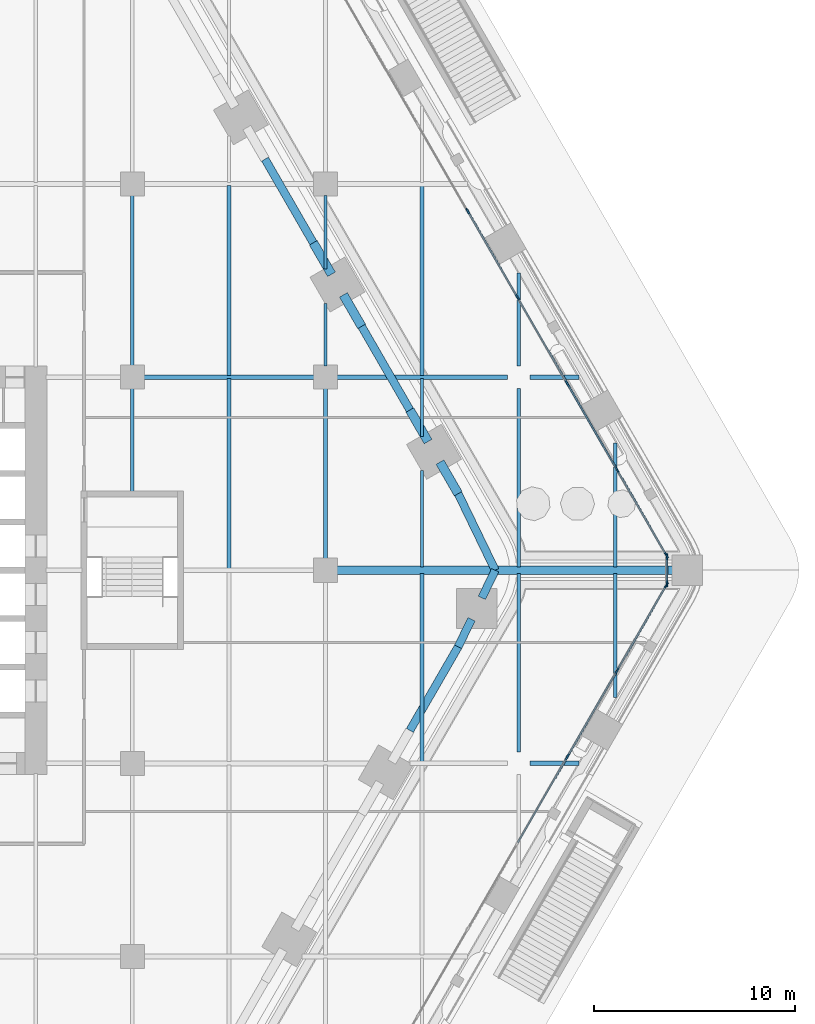
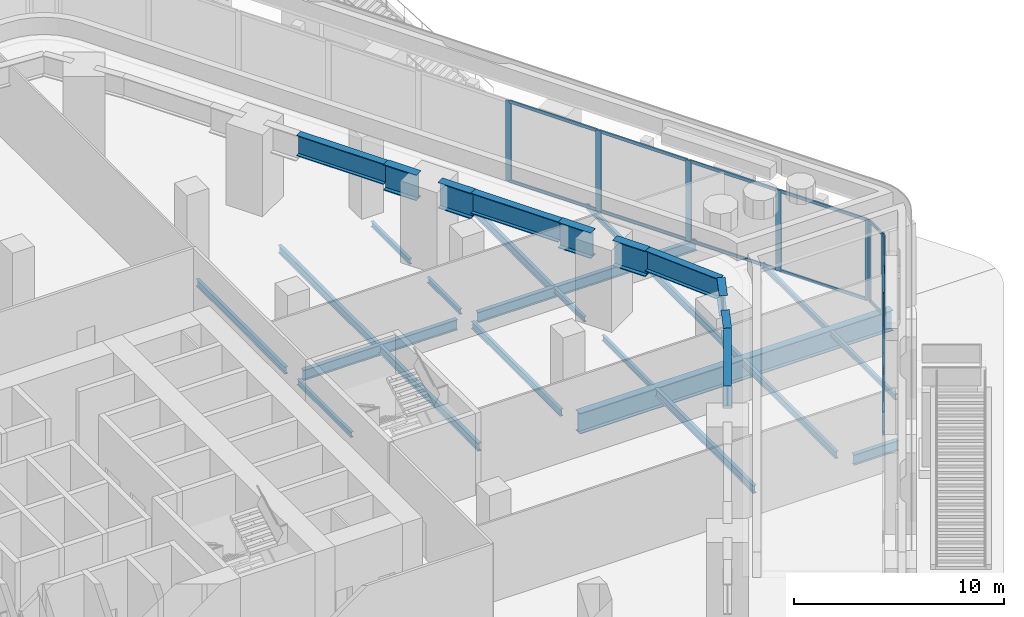
# One storey, part 7 of 34: 31 beams, 25 members, 3 elements without a shape of their own.
"""IFC4 building model written with IfcOpenShell, lengths in metres."""

from ifc_helpers import new_model, si_unit, direction, frame, origin, origin_2d, place, context, subcontext, project, spatial, rectangle, i_section, extrude, material, material_profile, profile_set, type_object, element, aggregate, save


model = new_model("IFC4")

# Units and contexts
model_context = context("Model", 3, precision=1e-05, world=origin(), true_north=direction((0.0, 1.0)))
body_context = subcontext(model_context, "Body", "Model", "MODEL_VIEW")
ifc_project = project(units=[si_unit("LENGTHUNIT", "METRE"), si_unit("AREAUNIT", "SQUARE_METRE"), si_unit("VOLUMEUNIT", "CUBIC_METRE"), si_unit("PLANEANGLEUNIT", "RADIAN"), si_unit("MASSUNIT", "GRAM", prefix="KILO")], contexts=[model_context])

# Site, building, storey
site_placement = place(None, origin())
site = spatial("IfcSite", under=ifc_project, at=site_placement, CompositionType="ELEMENT")
building_placement = place(site_placement, origin())
building = spatial("IfcBuilding", under=site, at=building_placement, Name="Kolab Exchange Tower", CompositionType="ELEMENT")
storey_placement = place(building_placement, frame((0.0, 0.0, 12.39990234375)))
storey = spatial("IfcBuildingStorey", under=building, at=storey_placement, Name="L02", CompositionType="ELEMENT", Elevation=12.39990234375)

# Beams
ifc_material_1 = material(Name="Steel S355", Category="steel")
ifc_material_profile_1 = material_profile(ifc_material_1, i_section(OverallWidth=0.1650390625, OverallDepth=0.31005859375, WebThickness=0.005859375, FlangeThickness=0.009765625, at=origin_2d()), Name="W310X39")
ifc_profile_set_1 = profile_set([ifc_material_profile_1], Name="Steel S355")
beam_type_1 = type_object("IfcBeamType", Name="FLOOR BEAM W310X39", PredefinedType="BEAM", material=ifc_profile_set_1)
beam_1_placement = place(storey_placement, frame((19.199951171875, 3.909912109375, -0.454833984375), z_axis=(0.0, 1.0, 0.0), x_axis=(-1.0, 0.0, 0.0)))
element("IfcBeam", 1, at=beam_1_placement, inside=storey, type_object=beam_type_1, Name="beam/L02/fr/091", PredefinedType="BEAM", context=body_context, shape_type="SweptSolid", body=[
    extrude(i_section(OverallWidth=0.1650390625, OverallDepth=0.31005859375, WebThickness=0.005859375, FlangeThickness=0.009765625, at=origin_2d()), origin(), (0.0, 0.0, 1.0), 5.130126953125),
])
beam_2_placement = place(storey_placement, frame((28.800048828125, 10.159912109375, -0.454833984375), z_axis=(0.0, 1.0, 0.0), x_axis=(-1.0, 0.0, 0.0)))
element("IfcBeam", 2, at=beam_2_placement, inside=storey, type_object=beam_type_1, Name="beam/L02/fr/109", PredefinedType="BEAM", context=body_context, shape_type="SweptSolid", body=[
    extrude(i_section(OverallWidth=0.1650390625, OverallDepth=0.31005859375, WebThickness=0.005859375, FlangeThickness=0.009765625, at=origin_2d()), origin(), (0.0, 0.0, 1.0), 3.107666015625),
])
beam_3_placement = place(storey_placement, frame((28.800048828125, 14.97119140625, -0.454833984375), z_axis=(0.0, 1.0, 0.0), x_axis=(-1.0, 0.0, 0.0)))
element("IfcBeam", 3, at=beam_3_placement, inside=storey, type_object=beam_type_1, Name="beam/L02/fr/110", PredefinedType="BEAM", context=body_context, shape_type="SweptSolid", body=[
    extrude(i_section(OverallWidth=0.1650390625, OverallDepth=0.31005859375, WebThickness=0.005859375, FlangeThickness=0.009765625, at=origin_2d()), origin(), (0.0, 0.0, 1.0), 3.668701171875),
])
beam_4_placement = place(storey_placement, frame((33.60009765625, 0.159912109375, -0.454833984375), z_axis=(0.0, 1.0, 0.0), x_axis=(-1.0, 0.0, 0.0)))
element("IfcBeam", 4, at=beam_4_placement, inside=storey, type_object=beam_type_1, Name="beam/L02/fr/116", PredefinedType="BEAM", context=body_context, shape_type="SweptSolid", body=[
    extrude(i_section(OverallWidth=0.1650390625, OverallDepth=0.31005859375, WebThickness=0.005859375, FlangeThickness=0.009765625, at=origin_2d()), origin(), (0.0, 0.0, 1.0), 4.7939453125),
])
beam_5_placement = place(storey_placement, frame((33.60009765625, 6.6572265625, -0.454833984375), z_axis=(0.0, 1.0, 0.0), x_axis=(-1.0, 0.0, 0.0)))
element("IfcBeam", 5, at=beam_5_placement, inside=storey, type_object=beam_type_1, Name="beam/L02/fr/117", PredefinedType="BEAM", context=body_context, shape_type="SweptSolid", body=[
    extrude(i_section(OverallWidth=0.1650390625, OverallDepth=0.31005859375, WebThickness=0.005859375, FlangeThickness=0.009765625, at=origin_2d()), origin(), (0.0, 0.0, 1.0), 2.86865234375),
])
beam_6_placement = place(storey_placement, frame((38.39990234375, 10.159912109375, -0.454833984375), z_axis=(0.0, 1.0, 0.0), x_axis=(-1.0, 0.0, 0.0)))
element("IfcBeam", 6, at=beam_6_placement, inside=storey, type_object=beam_type_1, Name="beam/L02/fr/123", PredefinedType="BEAM", context=body_context, shape_type="SweptSolid", body=[
    extrude(i_section(OverallWidth=0.1650390625, OverallDepth=0.31005859375, WebThickness=0.005859375, FlangeThickness=0.009765625, at=origin_2d()), origin(), (0.0, 0.0, 1.0), 4.607666015625),
])
for number, where, z_axis, x_axis, name in (
    (7, (43.199951171875, -6.33642578125, -0.454833984375), (0.0, 1.0, 0.0), (-1.0, 0.0, 0.0), "beam/L02/fr/124"),
    (8, (43.199951171875, 0.159912109375, -0.454833984375), (0.0, 1.0, 0.0), (-1.0, 0.0, 0.0), "beam/L02/fr/125"),
):
    element("IfcBeam", number, at=place(storey_placement, frame(where, z_axis=z_axis, x_axis=x_axis)), inside=storey, type_object=beam_type_1, Name=name, PredefinedType="BEAM", context=body_context, shape_type="SweptSolid", body=[
        extrude(i_section(OverallWidth=0.1650390625, OverallDepth=0.31005859375, WebThickness=0.005859375, FlangeThickness=0.009765625, at=origin_2d()), origin(), (0.0, 0.0, 1.0), 6.176513671875),
    ])
ifc_material_profile_2 = material_profile(ifc_material_1, i_section(OverallWidth=0.177978515625, OverallDepth=0.406982421875, WebThickness=0.0078125, FlangeThickness=0.0126953125, at=origin_2d()), Name="W410X60")
ifc_profile_set_2 = profile_set([ifc_material_profile_2], Name="Steel S355")
beam_type_2 = type_object("IfcBeamType", Name="FLOOR BEAM W410X60", PredefinedType="BEAM", material=ifc_profile_set_2)
for number, where, z_axis, x_axis, name in (
    (9, (19.199951171875, 10.159912109375, -0.50341796875), (0.0, 1.0, 0.0), (-1.0, 0.0, 0.0), "beam/L02/fr/092"),
    (10, (28.800048828125, 0.56005859375, -0.50341796875), (0.0, 1.0, 0.0), (-1.0, 0.0, 0.0), "beam/L02/fr/108"),
):
    element("IfcBeam", number, at=place(storey_placement, frame(where, z_axis=z_axis, x_axis=x_axis)), inside=storey, type_object=beam_type_2, Name=name, PredefinedType="BEAM", context=body_context, shape_type="SweptSolid", body=[
        extrude(i_section(OverallWidth=0.177978515625, OverallDepth=0.406982421875, WebThickness=0.0078125, FlangeThickness=0.0126953125, at=origin_2d()), origin(), (0.0, 0.0, 1.0), 8.47998046875),
    ])
for number, where, z_axis, x_axis, name in (
    (11, (38.39990234375, -9.0400390625, -0.50341796875), (0.0, 1.0, 0.0), (-1.0, 0.0, 0.0), "beam/L02/fr/121"),
    (12, (38.39990234375, 0.159912109375, -0.50341796875), (0.0, 1.0, 0.0), (-1.0, 0.0, 0.0), "beam/L02/fr/122"),
):
    element("IfcBeam", number, at=place(storey_placement, frame(where, z_axis=z_axis, x_axis=x_axis)), inside=storey, type_object=beam_type_2, Name=name, PredefinedType="BEAM", context=body_context, shape_type="SweptSolid", body=[
        extrude(i_section(OverallWidth=0.177978515625, OverallDepth=0.406982421875, WebThickness=0.0078125, FlangeThickness=0.0126953125, at=origin_2d()), origin(), (0.0, 0.0, 1.0), 8.880126953125),
    ])
ifc_material_profile_3 = material_profile(ifc_material_1, i_section(OverallWidth=0.18994140625, OverallDepth=0.45703125, WebThickness=0.009033203125, FlangeThickness=0.014404296875, at=origin_2d()), Name="W460X74")
ifc_profile_set_3 = profile_set([ifc_material_profile_3], Name="Steel S355")
beam_type_3 = type_object("IfcBeamType", Name="FLOOR BEAM W460X74", PredefinedType="BEAM", material=ifc_profile_set_3)
for number, where, z_axis, x_axis, name in (
    (13, (24.0, 0.073974609375, -0.5283203125), (0.0, 1.0, 0.0), (-1.0, 0.0, 0.0), "beam/L02/fr/099"),
    (14, (24.0, 9.674072265625, -0.5283203125), (0.0, 1.0, 0.0), (-1.0, 0.0, 0.0), "beam/L02/fr/100"),
):
    element("IfcBeam", number, at=place(storey_placement, frame(where, z_axis=z_axis, x_axis=x_axis)), inside=storey, type_object=beam_type_3, Name=name, PredefinedType="BEAM", context=body_context, shape_type="SweptSolid", body=[
        extrude(i_section(OverallWidth=0.18994140625, OverallDepth=0.45703125, WebThickness=0.009033203125, FlangeThickness=0.014404296875, at=origin_2d()), origin(), (0.0, 0.0, 1.0), 9.451904296875),
    ])
beam_7_placement = place(storey_placement, frame((33.60009765625, -9.52587890625, -0.5283203125), z_axis=(0.0, 1.0, 0.0), x_axis=(-1.0, 0.0, 0.0)))
element("IfcBeam", 15, at=beam_7_placement, inside=storey, type_object=beam_type_3, Name="beam/L02/fr/115", PredefinedType="BEAM", context=body_context, shape_type="SweptSolid", body=[
    extrude(i_section(OverallWidth=0.18994140625, OverallDepth=0.45703125, WebThickness=0.009033203125, FlangeThickness=0.014404296875, at=origin_2d()), origin(), (0.0, 0.0, 1.0), 9.365966796875),
])
beam_8_placement = place(storey_placement, frame((33.60009765625, 9.674072265625, -0.5283203125), z_axis=(0.0, 1.0, 0.0), x_axis=(-1.0, 0.0, 0.0)))
element("IfcBeam", 16, at=beam_8_placement, inside=storey, type_object=beam_type_3, Name="beam/L02/fr/118", PredefinedType="BEAM", context=body_context, shape_type="SweptSolid", body=[
    extrude(i_section(OverallWidth=0.18994140625, OverallDepth=0.45703125, WebThickness=0.009033203125, FlangeThickness=0.014404296875, at=origin_2d()), origin(), (0.0, 0.0, 1.0), 9.451904296875),
])
ifc_material_profile_4 = material_profile(ifc_material_1, i_section(OverallWidth=0.39990234375, OverallDepth=1.199951171875, WebThickness=0.02490234375, FlangeThickness=0.0400390625, at=origin_2d()), Name="PG1200X400")
ifc_profile_set_4 = profile_set([ifc_material_profile_4], Name="Steel S355")
beam_type_4 = type_object("IfcBeamType", Name="FLOOR GIRDER PG1200X400", PredefinedType="BEAM", material=ifc_profile_set_4)
beam_9_placement = place(storey_placement, frame((29.360107421875, 0.0, -0.89990234375), z_axis=(1.0, 0.0, 0.0), x_axis=(0.0, 1.0, 0.0)))
element("IfcBeam", 17, at=beam_9_placement, inside=storey, type_object=beam_type_4, Name="beam/L02/gd/040", PredefinedType="BEAM", context=body_context, shape_type="SweptSolid", body=[
    extrude(i_section(OverallWidth=0.39990234375, OverallDepth=1.199951171875, WebThickness=0.02490234375, FlangeThickness=0.0400390625, at=origin_2d()), origin(), (0.0, 0.0, 1.0), 17.239013671875),
])
ifc_material_profile_5 = material_profile(ifc_material_1, i_section(OverallWidth=0.22802734375, OverallDepth=0.60791015625, WebThickness=0.01123046875, FlangeThickness=0.017333984375, at=origin_2d()), Name="W610X113")
ifc_profile_set_5 = profile_set([ifc_material_profile_5], Name="Steel S355")
beam_type_5 = type_object("IfcBeamType", Name="FLOOR GIRDER W610X113", PredefinedType="BEAM", material=ifc_profile_set_5)
for number, where, z_axis, x_axis, name in (
    (18, (19.760009765625, 9.60009765625, -0.60400390625), (1.0, 0.0, 0.0), (0.0, 1.0, 0.0), "beam/L02/gd/036"),
    (19, (29.360107421875, 9.60009765625, -0.60400390625), (1.0, 0.0, 0.0), (0.0, 1.0, 0.0), "beam/L02/gd/041"),
):
    element("IfcBeam", number, at=place(storey_placement, frame(where, z_axis=z_axis, x_axis=x_axis)), inside=storey, type_object=beam_type_5, Name=name, PredefinedType="BEAM", context=body_context, shape_type="SweptSolid", body=[
        extrude(i_section(OverallWidth=0.22802734375, OverallDepth=0.60791015625, WebThickness=0.01123046875, FlangeThickness=0.017333984375, at=origin_2d()), origin(), (0.0, 0.0, 1.0), 8.47998046875),
    ])
for number, where, z_axis, x_axis, name in (
    (20, (38.9599609375, -9.60009765625, -0.60400390625), (1.0, 0.0, 0.0), (0.0, 1.0, 0.0), "beam/L02/gd/044"),
    (21, (38.9599609375, 9.60009765625, -0.60400390625), (1.0, 0.0, 0.0), (0.0, 1.0, 0.0), "beam/L02/gd/045"),
):
    element("IfcBeam", number, at=place(storey_placement, frame(where, z_axis=z_axis, x_axis=x_axis)), inside=storey, type_object=beam_type_5, Name=name, PredefinedType="BEAM", context=body_context, shape_type="SweptSolid", body=[
        extrude(i_section(OverallWidth=0.22802734375, OverallDepth=0.60791015625, WebThickness=0.01123046875, FlangeThickness=0.017333984375, at=origin_2d()), origin(), (0.0, 0.0, 1.0), 2.4404296875),
    ])

# Curtain wall, members
ifc_material_2 = material(Name="Aluminium EN AW-6063 T6", Category="aluminium")
curtain_wall_type = type_object("IfcCurtainWallType", Name="PODIUM STRUCTURAL GLAZING CURTAIN WALL", PredefinedType="NOTDEFINED", material=ifc_material_2)
curtain_wall_1_placement = place(storey_placement, origin())
curtain_wall_1 = element("IfcCurtainWall", 22, at=curtain_wall_1_placement, inside=storey, type_object=curtain_wall_type, Name="cw/L02/F2-1", PredefinedType="NOTDEFINED")
ifc_material_profile_6 = material_profile(ifc_material_2, rectangle(XDim=0.080078125, YDim=0.300048828125, at=origin_2d()), Name="RECT 80X300")
ifc_profile_set_6 = profile_set([ifc_material_profile_6], Name="Aluminium EN AW-6063 T6")
member_type_1 = type_object("IfcMemberType", Name="PODIUM STRUCTURAL GLAZING MULLION 80 X 300", PredefinedType="MULLION", material=ifc_profile_set_6)
member_1_placement = place(storey_placement, frame((35.868896484375, 17.851806640625, 0.0), z_axis=(0.0, 0.0, 1.0), x_axis=(0.866025403514, 0.500000000469, 0.0)))
member_1 = element("IfcMember", 23, at=member_1_placement, type_object=member_type_1, Name="CW5 mullion 6", PredefinedType="MULLION", context=body_context, shape_type="SweptSolid", body=[
    extrude(rectangle(XDim=0.080078125, YDim=0.300048828125, at=origin_2d()), origin(), (0.0, 0.0, 1.0), 4.7001953125),
])
member_2_placement = place(storey_placement, frame((38.343017578125, 13.56640625, 0.0), z_axis=(0.0, 0.0, 1.0), x_axis=(0.866025403514, 0.500000000469, 0.0)))
member_2 = element("IfcMember", 24, at=member_2_placement, type_object=member_type_1, Name="CW5 mullion 7", PredefinedType="MULLION", context=body_context, shape_type="SweptSolid", body=[
    extrude(rectangle(XDim=0.080078125, YDim=0.300048828125, at=origin_2d()), origin(), (0.0, 0.0, 1.0), 4.7001953125),
])
member_3_placement = place(storey_placement, frame((40.817138671875, 9.281005859375, 0.0), z_axis=(0.0, 0.0, 1.0), x_axis=(0.866025403514, 0.500000000469, 0.0)))
member_3 = element("IfcMember", 25, at=member_3_placement, type_object=member_type_1, Name="CW5 mullion 8", PredefinedType="MULLION", context=body_context, shape_type="SweptSolid", body=[
    extrude(rectangle(XDim=0.080078125, YDim=0.300048828125, at=origin_2d()), origin(), (0.0, 0.0, 1.0), 4.7001953125),
])
member_4_placement = place(storey_placement, frame((43.29150390625, 4.995361328125, 0.0), z_axis=(0.0, 0.0, 1.0), x_axis=(0.866025403514, 0.500000000469, 0.0)))
member_4 = element("IfcMember", 26, at=member_4_placement, type_object=member_type_1, Name="CW5 mullion 9", PredefinedType="MULLION", context=body_context, shape_type="SweptSolid", body=[
    extrude(rectangle(XDim=0.080078125, YDim=0.300048828125, at=origin_2d()), origin(), (0.0, 0.0, 1.0), 4.7001953125),
])
member_5_placement = place(storey_placement, frame((45.74560546875, 0.74462890625, 0.0), z_axis=(0.0, 0.0, 1.0), x_axis=(0.866025403514, 0.500000000469, 0.0)))
member_5 = element("IfcMember", 27, at=member_5_placement, type_object=member_type_1, Name="CW5 mullion 10", PredefinedType="MULLION", context=body_context, shape_type="SweptSolid", body=[
    extrude(rectangle(XDim=0.080078125, YDim=0.300048828125, at=origin_2d()), origin(), (0.0, 0.0, 1.0), 4.7001953125),
])

curtain_wall_2_placement = place(storey_placement, origin())
curtain_wall_2 = element("IfcCurtainWall", 28, at=curtain_wall_2_placement, inside=storey, type_object=curtain_wall_type, Name="cw/L02/F3-1", PredefinedType="NOTDEFINED")
member_6_placement = place(storey_placement, frame((45.74560546875, -0.74462890625, 0.0), z_axis=(0.0, 0.0, 1.0), x_axis=(0.866025403514, -0.500000000469, 0.0)))
member_6 = element("IfcMember", 29, at=member_6_placement, type_object=member_type_1, Name="CW5 mullion 1", PredefinedType="MULLION", context=body_context, shape_type="SweptSolid", body=[
    extrude(rectangle(XDim=0.080078125, YDim=0.300048828125, at=origin_2d()), origin(), (0.0, 0.0, 1.0), 4.7001953125),
])
member_7_placement = place(storey_placement, frame((43.29150390625, -4.995361328125, 0.0), z_axis=(0.0, 0.0, 1.0), x_axis=(0.866025403514, -0.500000000469, 0.0)))
member_7 = element("IfcMember", 30, at=member_7_placement, type_object=member_type_1, Name="CW5 mullion 2", PredefinedType="MULLION", context=body_context, shape_type="SweptSolid", body=[
    extrude(rectangle(XDim=0.080078125, YDim=0.300048828125, at=origin_2d()), origin(), (0.0, 0.0, 1.0), 4.7001953125),
])
member_8_placement = place(storey_placement, frame((40.817138671875, -9.281005859375, 0.0), z_axis=(0.0, 0.0, 1.0), x_axis=(0.866025403514, -0.500000000469, 0.0)))
member_8 = element("IfcMember", 31, at=member_8_placement, type_object=member_type_1, Name="CW5 mullion 3", PredefinedType="MULLION", context=body_context, shape_type="SweptSolid", body=[
    extrude(rectangle(XDim=0.080078125, YDim=0.300048828125, at=origin_2d()), origin(), (0.0, 0.0, 1.0), 4.7001953125),
])

curtain_wall_3_placement = place(storey_placement, origin())
curtain_wall_3 = element("IfcCurtainWall", 32, at=curtain_wall_3_placement, inside=storey, type_object=curtain_wall_type, Name="cw/L02/F2F3-corner", PredefinedType="NOTDEFINED")
member_9_placement = place(storey_placement, frame((45.765625, 0.669921875, 0.0), z_axis=(0.0, 0.0, 1.0), x_axis=(1.0, 0.0, 0.0)))
member_9 = element("IfcMember", 33, at=member_9_placement, type_object=member_type_1, Name="CW5 mullion 1", PredefinedType="MULLION", context=body_context, shape_type="SweptSolid", body=[
    extrude(rectangle(XDim=0.080078125, YDim=0.300048828125, at=origin_2d()), origin(), (0.0, 0.0, 1.0), 4.7001953125),
])
member_10_placement = place(storey_placement, frame((45.765625, -0.669921875, 0.0), z_axis=(0.0, 0.0, 1.0), x_axis=(1.0, 0.0, 0.0)))
member_10 = element("IfcMember", 34, at=member_10_placement, type_object=member_type_1, Name="CW5 mullion 2", PredefinedType="MULLION", context=body_context, shape_type="SweptSolid", body=[
    extrude(rectangle(XDim=0.080078125, YDim=0.300048828125, at=origin_2d()), origin(), (0.0, 0.0, 1.0), 4.7001953125),
])

# Member
ifc_material_profile_7 = material_profile(ifc_material_2, rectangle(XDim=0.080078125, YDim=0.179931640625, at=origin_2d()), Name="RECT 80X180")
ifc_profile_set_7 = profile_set([ifc_material_profile_7], Name="Aluminium EN AW-6063 T6")
member_type_2 = type_object("IfcMemberType", Name="PODIUM STRUCTURAL GLAZING TRANSOM 80 X 180", PredefinedType="USERDEFINED", material=ifc_profile_set_7)
member_11_placement = place(storey_placement, frame((35.888671875, 17.817138671875, 0.0400390625), z_axis=(0.500027764349, -0.866009373437, 0.0), x_axis=(0.866009373437, 0.500027764349, 0.0)))
member_11 = element("IfcMember", 35, at=member_11_placement, type_object=member_type_2, Name="CW5 transom 6.1", ObjectType="TRANSOM", PredefinedType="USERDEFINED", context=body_context, shape_type="SweptSolid", body=[
    extrude(rectangle(XDim=0.080078125, YDim=0.179931640625, at=origin_2d()), origin(), (0.0, 0.0, 1.0), 4.868408203125),
])

member_12_placement = place(storey_placement, frame((35.888671875, 17.817138671875, 4.66015625), z_axis=(0.500027764349, -0.866009373437, 0.0), x_axis=(0.866009373437, 0.500027764349, 0.0)))
member_12 = element("IfcMember", 36, at=member_12_placement, type_object=member_type_2, Name="CW5 transom 6.2", ObjectType="TRANSOM", PredefinedType="USERDEFINED", context=body_context, shape_type="SweptSolid", body=[
    extrude(rectangle(XDim=0.080078125, YDim=0.179931640625, at=origin_2d()), origin(), (0.0, 0.0, 1.0), 4.868408203125),
])

member_13_placement = place(storey_placement, frame((38.363037109375, 13.53173828125, 0.0400390625), z_axis=(0.499990153172, -0.866031088779, 0.0), x_axis=(0.866031088779, 0.499990153172, 0.0)))
member_13 = element("IfcMember", 37, at=member_13_placement, type_object=member_type_2, Name="CW5 transom 7.1", ObjectType="TRANSOM", PredefinedType="USERDEFINED", context=body_context, shape_type="SweptSolid", body=[
    extrude(rectangle(XDim=0.080078125, YDim=0.179931640625, at=origin_2d()), origin(), (0.0, 0.0, 1.0), 4.8681640625),
])

member_14_placement = place(storey_placement, frame((38.363037109375, 13.53173828125, 4.66015625), z_axis=(0.499990153172, -0.866031088779, 0.0), x_axis=(0.866031088779, 0.499990153172, 0.0)))
member_14 = element("IfcMember", 38, at=member_14_placement, type_object=member_type_2, Name="CW5 transom 7.2", ObjectType="TRANSOM", PredefinedType="USERDEFINED", context=body_context, shape_type="SweptSolid", body=[
    extrude(rectangle(XDim=0.080078125, YDim=0.179931640625, at=origin_2d()), origin(), (0.0, 0.0, 1.0), 4.8681640625),
])

member_15_placement = place(storey_placement, frame((40.837158203125, 9.246337890625, 0.0400390625), z_axis=(0.50000604952, -0.866021911064, 0.0), x_axis=(0.866021911064, 0.50000604952, 0.0)))
member_15 = element("IfcMember", 39, at=member_15_placement, type_object=member_type_2, Name="CW5 transom 8.1", ObjectType="TRANSOM", PredefinedType="USERDEFINED", context=body_context, shape_type="SweptSolid", body=[
    extrude(rectangle(XDim=0.080078125, YDim=0.179931640625, at=origin_2d()), origin(), (0.0, 0.0, 1.0), 4.86865234375),
])

member_16_placement = place(storey_placement, frame((40.837158203125, 9.246337890625, 4.66015625), z_axis=(0.50000604952, -0.866021911064, 0.0), x_axis=(0.866021911064, 0.50000604952, 0.0)))
member_16 = element("IfcMember", 40, at=member_16_placement, type_object=member_type_2, Name="CW5 transom 8.2", ObjectType="TRANSOM", PredefinedType="USERDEFINED", context=body_context, shape_type="SweptSolid", body=[
    extrude(rectangle(XDim=0.080078125, YDim=0.179931640625, at=origin_2d()), origin(), (0.0, 0.0, 1.0), 4.86865234375),
])

member_17_placement = place(storey_placement, frame((43.3115234375, 4.9609375, 0.0400390625), z_axis=(0.499967560512, -0.866044131922, 0.0), x_axis=(0.866044131922, 0.499967560512, 0.0)))
member_17 = element("IfcMember", 41, at=member_17_placement, type_object=member_type_2, Name="CW5 transom 9.1", ObjectType="TRANSOM", PredefinedType="USERDEFINED", context=body_context, shape_type="SweptSolid", body=[
    extrude(rectangle(XDim=0.080078125, YDim=0.179931640625, at=origin_2d()), origin(), (0.0, 0.0, 1.0), 4.828369140625),
])

member_18_placement = place(storey_placement, frame((43.3115234375, 4.9609375, 4.66015625), z_axis=(0.499967560512, -0.866044131922, 0.0), x_axis=(0.866044131922, 0.499967560512, 0.0)))
member_18 = element("IfcMember", 42, at=member_18_placement, type_object=member_type_2, Name="CW5 transom 9.2", ObjectType="TRANSOM", PredefinedType="USERDEFINED", context=body_context, shape_type="SweptSolid", body=[
    extrude(rectangle(XDim=0.080078125, YDim=0.179931640625, at=origin_2d()), origin(), (0.0, 0.0, 1.0), 4.828369140625),
])

aggregate(curtain_wall_1, [member_1, member_2, member_3, member_4, member_5, member_11, member_12, member_13, member_14, member_15, member_16, member_17, member_18])

member_19_placement = place(storey_placement, frame((45.7255859375, -0.779296875, 0.0400390625), z_axis=(-0.499967560512, -0.866044131922, 0.0), x_axis=(0.866044131922, -0.499967560512, 0.0)))
member_19 = element("IfcMember", 43, at=member_19_placement, type_object=member_type_2, Name="CW5 transom 1.1", ObjectType="TRANSOM", PredefinedType="USERDEFINED", context=body_context, shape_type="SweptSolid", body=[
    extrude(rectangle(XDim=0.080078125, YDim=0.179931640625, at=origin_2d()), origin(), (0.0, 0.0, 1.0), 4.828369140625),
])

member_20_placement = place(storey_placement, frame((45.7255859375, -0.779296875, 4.66015625), z_axis=(-0.499967560512, -0.866044131922, 0.0), x_axis=(0.866044131922, -0.499967560512, 0.0)))
member_20 = element("IfcMember", 44, at=member_20_placement, type_object=member_type_2, Name="CW5 transom 1.2", ObjectType="TRANSOM", PredefinedType="USERDEFINED", context=body_context, shape_type="SweptSolid", body=[
    extrude(rectangle(XDim=0.080078125, YDim=0.179931640625, at=origin_2d()), origin(), (0.0, 0.0, 1.0), 4.828369140625),
])

member_21_placement = place(storey_placement, frame((43.271484375, -5.030029296875, 0.0400390625), z_axis=(-0.50000604952, -0.866021911064, 0.0), x_axis=(0.866021911064, -0.50000604952, 0.0)))
member_21 = element("IfcMember", 45, at=member_21_placement, type_object=member_type_2, Name="CW5 transom 2.1", ObjectType="TRANSOM", PredefinedType="USERDEFINED", context=body_context, shape_type="SweptSolid", body=[
    extrude(rectangle(XDim=0.080078125, YDim=0.179931640625, at=origin_2d()), origin(), (0.0, 0.0, 1.0), 4.86865234375),
])

member_22_placement = place(storey_placement, frame((43.271484375, -5.030029296875, 4.66015625), z_axis=(-0.50000604952, -0.866021911064, 0.0), x_axis=(0.866021911064, -0.50000604952, 0.0)))
member_22 = element("IfcMember", 46, at=member_22_placement, type_object=member_type_2, Name="CW5 transom 2.2", ObjectType="TRANSOM", PredefinedType="USERDEFINED", context=body_context, shape_type="SweptSolid", body=[
    extrude(rectangle(XDim=0.080078125, YDim=0.179931640625, at=origin_2d()), origin(), (0.0, 0.0, 1.0), 4.86865234375),
])

member_23_placement = place(storey_placement, frame((40.797119140625, -9.315673828125, 4.66015625), z_axis=(-0.499990153172, -0.866031088779, 0.0), x_axis=(0.866031088779, -0.499990153172, 0.0)))
member_23 = element("IfcMember", 47, at=member_23_placement, type_object=member_type_2, Name="CW5 transom 3.2", ObjectType="TRANSOM", PredefinedType="USERDEFINED", context=body_context, shape_type="SweptSolid", body=[
    extrude(rectangle(XDim=0.080078125, YDim=0.179931640625, at=origin_2d()), origin(), (0.0, 0.0, 1.0), 4.8681640625),
])

aggregate(curtain_wall_2, [member_6, member_7, member_8, member_19, member_20, member_21, member_22, member_23])

member_24_placement = place(storey_placement, frame((45.765625, 0.6298828125, 0.0400390625), z_axis=(0.0, -1.0, 0.0), x_axis=(1.0, 0.0, 0.0)))
member_24 = element("IfcMember", 48, at=member_24_placement, type_object=member_type_2, Name="CW5 transom 1.1", ObjectType="TRANSOM", PredefinedType="USERDEFINED", context=body_context, shape_type="SweptSolid", body=[
    extrude(rectangle(XDim=0.080078125, YDim=0.179931640625, at=origin_2d()), origin(), (0.0, 0.0, 1.0), 1.259765625),
])

member_25_placement = place(storey_placement, frame((45.765625, 0.6298828125, 4.66015625), z_axis=(0.0, -1.0, 0.0), x_axis=(1.0, 0.0, 0.0)))
member_25 = element("IfcMember", 49, at=member_25_placement, type_object=member_type_2, Name="CW5 transom 1.2", ObjectType="TRANSOM", PredefinedType="USERDEFINED", context=body_context, shape_type="SweptSolid", body=[
    extrude(rectangle(XDim=0.080078125, YDim=0.179931640625, at=origin_2d()), origin(), (0.0, 0.0, 1.0), 1.259765625),
])

aggregate(curtain_wall_3, [member_9, member_10, member_24, member_25])

# Beams
ifc_material_profile_8 = material_profile(ifc_material_1, i_section(OverallWidth=0.39990234375, OverallDepth=1.199951171875, WebThickness=0.02490234375, FlangeThickness=0.0400390625, at=origin_2d()), Name="PG1200X400")
ifc_profile_set_8 = profile_set([ifc_material_profile_8], Name="Steel S355")
beam_type_6 = type_object("IfcBeamType", Name="TRANSFER GIRDER PG1200X400", PredefinedType="BEAM", material=ifc_profile_set_8)
for number, where, z_axis, x_axis, name in (
    (50, (36.57177734375, -1.372314453125, 4.150146484375), (0.435581856958, 0.900149124251, 0.0), (-0.900149124251, 0.435581856958, 0.0), "beam/L02/tg/T-F3-01"),
    (51, (36.057861328125, -2.4345703125, 4.150146484375), (-0.435581856958, -0.900149124251, 0.0), (0.900149124251, -0.435581856958, 0.0), "beam/L02/tg/T-F3-02"),
):
    element("IfcBeam", number, at=place(storey_placement, frame(where, z_axis=z_axis, x_axis=x_axis)), inside=storey, type_object=beam_type_6, Name=name, PredefinedType="BEAM", context=body_context, shape_type="SweptSolid", body=[
        extrude(i_section(OverallWidth=0.39990234375, OverallDepth=1.199951171875, WebThickness=0.02490234375, FlangeThickness=0.0400390625, at=origin_2d()), origin(), (0.0, 0.0, 1.0), 1.524658203125),
    ])
for number, where, z_axis, x_axis, name in (
    (52, (25.793701171875, 20.4345703125, 4.150146484375), (0.500017431331, -0.866015339567, 0.0), (0.866015339567, 0.500017431331, 0.0), "beam/L02/tg/T-F2-04-F2-05"),
    (53, (30.59375, 12.120849609375, 4.150146484375), (0.500017431331, -0.866015339567, 0.0), (0.866015339567, 0.500017431331, 0.0), "beam/L02/tg/T-F2-06-F2-07"),
):
    element("IfcBeam", number, at=place(storey_placement, frame(where, z_axis=z_axis, x_axis=x_axis)), inside=storey, type_object=beam_type_6, Name=name, PredefinedType="BEAM", context=body_context, shape_type="SweptSolid", body=[
        extrude(i_section(OverallWidth=0.39990234375, OverallDepth=1.199951171875, WebThickness=0.02490234375, FlangeThickness=0.0400390625, at=origin_2d()), origin(), (0.0, 0.0, 1.0), 4.800048828125),
    ])
beam_10_placement = place(storey_placement, frame((35.393798828125, 3.806884765625, 4.150146484375), z_axis=(0.435560928104, -0.900159251416, 0.0), x_axis=(0.900159251416, 0.435560928104, 0.0)))
element("IfcBeam", 54, at=beam_10_placement, inside=storey, type_object=beam_type_6, Name="beam/L02/tg/T-F2-08-F3-01", PredefinedType="BEAM", context=body_context, shape_type="SweptSolid", body=[
    extrude(i_section(OverallWidth=0.39990234375, OverallDepth=1.199951171875, WebThickness=0.02490234375, FlangeThickness=0.0400390625, at=origin_2d()), origin(), (0.0, 0.0, 1.0), 4.22900390625),
])
beam_11_placement = place(storey_placement, frame((35.393798828125, -3.806884765625, 4.150146484375), z_axis=(-0.499979284789, -0.866037363387, 0.0), x_axis=(0.866037363387, -0.499979284789, 0.0)))
element("IfcBeam", 55, at=beam_11_placement, inside=storey, type_object=beam_type_6, Name="beam/L02/tg/T-F3-02-F3-03", PredefinedType="BEAM", context=body_context, shape_type="SweptSolid", body=[
    extrude(i_section(OverallWidth=0.39990234375, OverallDepth=1.199951171875, WebThickness=0.02490234375, FlangeThickness=0.0400390625, at=origin_2d()), origin(), (0.0, 0.0, 1.0), 4.800048828125),
])
ifc_material_profile_9 = material_profile(ifc_material_1, i_section(OverallWidth=0.449951171875, OverallDepth=1.5, WebThickness=0.028076171875, FlangeThickness=0.044921875, at=origin_2d()), Name="PG1500X450")
ifc_profile_set_9 = profile_set([ifc_material_profile_9], Name="Steel S355")
beam_type_7 = type_object("IfcBeamType", Name="TRANSFER GIRDER PG1500X450", PredefinedType="BEAM", material=ifc_profile_set_9)
for number, where, z_axis, x_axis, name in (
    (56, (29.098876953125, 14.710205078125, 4.0), (-0.500041607127, 0.866001380566, 0.0), (-0.866001380566, -0.500041607127, 0.0), "beam/L02/tg/T-F2-05"),
    (57, (29.688720703125, 13.688232421875, 4.0), (0.500041607127, -0.866001380566, 0.0), (0.866001380566, 0.500041607127, 0.0), "beam/L02/tg/T-F2-06"),
):
    element("IfcBeam", number, at=place(storey_placement, frame(where, z_axis=z_axis, x_axis=x_axis)), inside=storey, type_object=beam_type_7, Name=name, PredefinedType="BEAM", context=body_context, shape_type="SweptSolid", body=[
        extrude(i_section(OverallWidth=0.449951171875, OverallDepth=1.5, WebThickness=0.028076171875, FlangeThickness=0.044921875, at=origin_2d()), origin(), (0.0, 0.0, 1.0), 1.809814453125),
    ])
for number, where, z_axis, x_axis, name in (
    (58, (33.898681640625, 6.396240234375, 4.0), (-0.499882030911, 0.866093502558, 0.0), (-0.866093502558, -0.499882030911, 0.0), "beam/L02/tg/T-F2-07"),
    (59, (34.48876953125, 5.37451171875, 4.0), (0.499983199978, -0.866035103064, 0.0), (0.866035103064, 0.499983199978, 0.0), "beam/L02/tg/T-F2-08"),
):
    element("IfcBeam", number, at=place(storey_placement, frame(where, z_axis=z_axis, x_axis=x_axis)), inside=storey, type_object=beam_type_7, Name=name, PredefinedType="BEAM", context=body_context, shape_type="SweptSolid", body=[
        extrude(i_section(OverallWidth=0.449951171875, OverallDepth=1.5, WebThickness=0.028076171875, FlangeThickness=0.044921875, at=origin_2d()), origin(), (0.0, 0.0, 1.0), 1.81005859375),
    ])

save(model, "model.ifc")
